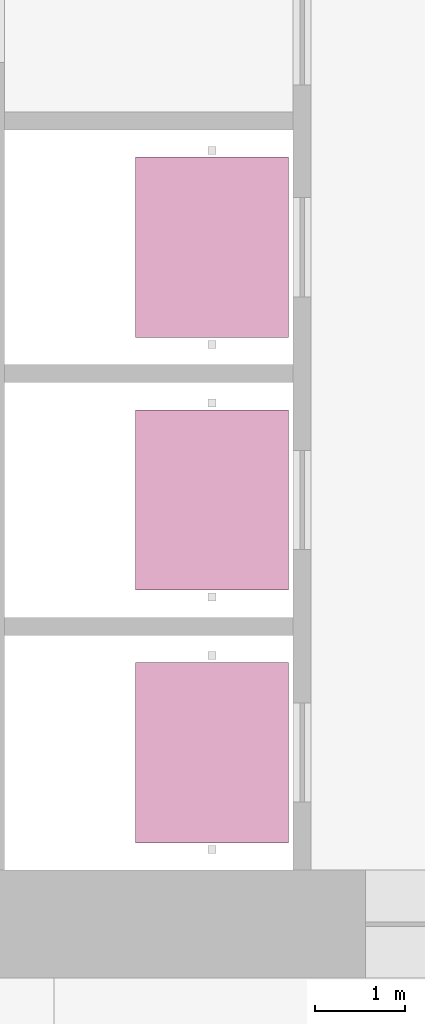
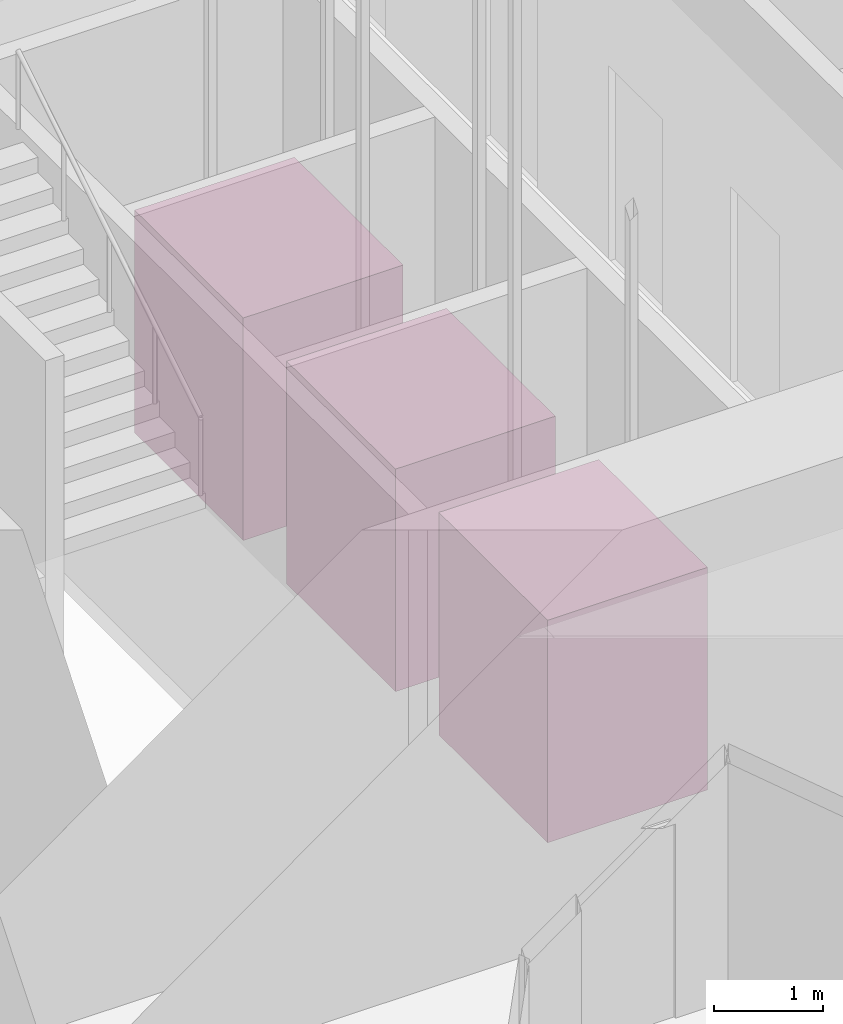
# One storey, part 17 of 17: 3 transport elements.
"""IFC4 building model written with IfcOpenShell, lengths in metres."""

from ifc_helpers import new_model, si_unit, direction, frame, origin, origin_2d, place, context, subcontext, project, spatial, rectangle, extrude, material, type_object, element, save


model = new_model("IFC4")

# Units and contexts
model_context = context("Model", 3, precision=1e-05, world=origin(), true_north=direction((0.0, 1.0)))
body_context = subcontext(model_context, "Body", "Model", "MODEL_VIEW")
ifc_project = project(units=[si_unit("LENGTHUNIT", "METRE"), si_unit("AREAUNIT", "SQUARE_METRE"), si_unit("VOLUMEUNIT", "CUBIC_METRE"), si_unit("PLANEANGLEUNIT", "RADIAN"), si_unit("MASSUNIT", "GRAM", prefix="KILO")], contexts=[model_context])

# Site, building, storey
site_placement = place(None, origin())
site = spatial("IfcSite", under=ifc_project, at=site_placement, CompositionType="ELEMENT")
building_placement = place(site_placement, origin())
building = spatial("IfcBuilding", under=site, at=building_placement, Name="Svetlomir Tower", CompositionType="ELEMENT")
storey_placement = place(building_placement, frame((0.0, 0.0, 239.5)))
storey = spatial("IfcBuildingStorey", under=building, at=storey_placement, Name="L57", CompositionType="ELEMENT", Elevation=239.5)

# Transport elements
ifc_material = material(Name="Steel lift car", Category="steel")
transport_element_type = type_object("IfcTransportElementType", Name="LIFT LOCAL", PredefinedType="ELEVATOR", material=ifc_material)
for number, where, z_axis, x_axis, name in (
    (1, (18.300048828125, 13.89990234375, 0.0), (0.0, 0.0, 1.0), (1.0, 0.0, 0.0), "Lift LD1"),
    (2, (18.300048828125, 16.699951171875, 0.0), (0.0, 0.0, 1.0), (1.0, 0.0, 0.0), "Lift LD2"),
    (3, (18.300048828125, 19.5, 0.0), (0.0, 0.0, 1.0), (1.0, 0.0, 0.0), "Lift LD3"),
):
    element("IfcTransportElement", number, at=place(storey_placement, frame(where, z_axis=z_axis, x_axis=x_axis)), inside=storey, type_object=transport_element_type, Name=name, PredefinedType="ELEVATOR", context=body_context, shape_type="SweptSolid", body=[
        extrude(rectangle(XDim=1.699951171875, YDim=2.0, at=origin_2d()), origin(), (0.0, 0.0, 1.0), 2.5),
    ])

save(model, "model.ifc")
